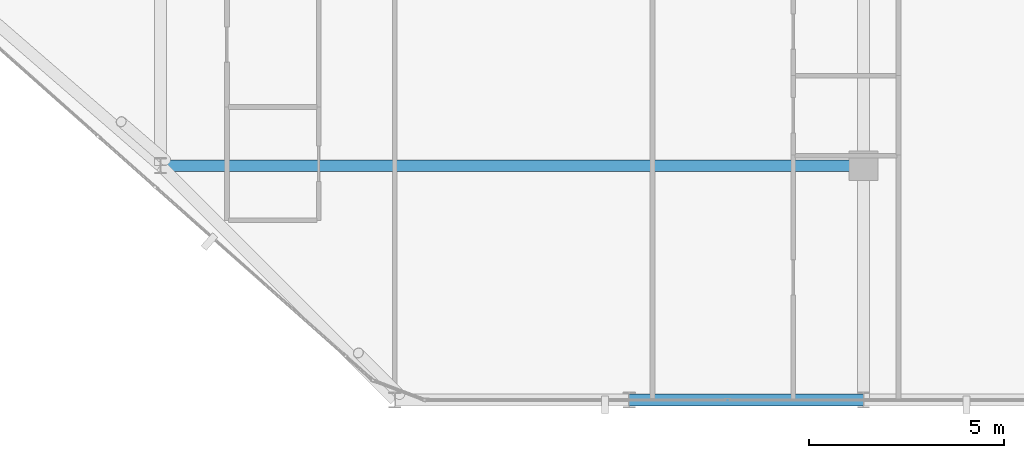
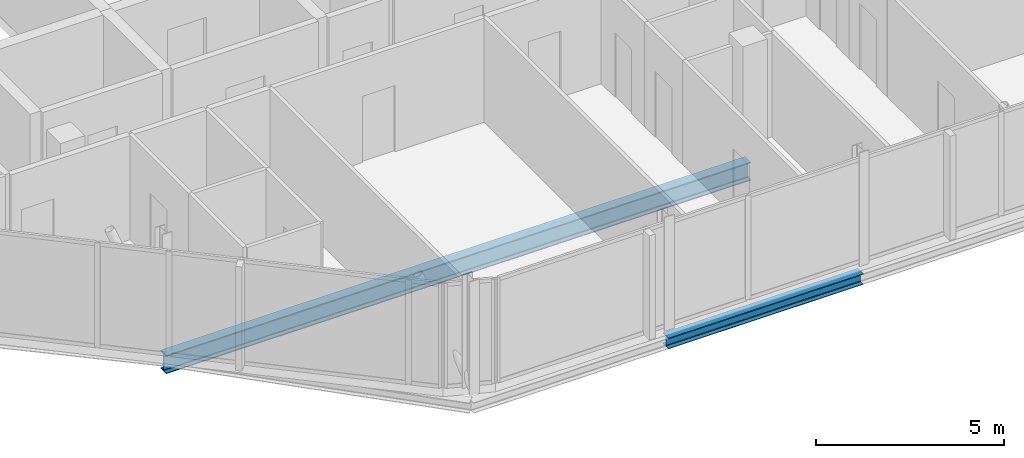
# One storey, part 7 of 30: 2 beams.
"""IFC4 building model written with IfcOpenShell, lengths in metres."""

import ifcopenshell
import ifcopenshell.guid

model = None  # the IFC model being written
_history = None  # IfcOwnerHistory: only IFC2X3 demands one
_inside = {}  # id of a spatial element -> (the spatial element, [elements in it])
_under = {}  # id of a project, library or spatial element -> (it, [spatial elements below it])
_declared = {}  # id of a project -> (the project, [libraries it declares])
_typed = {}  # id of a type object -> (the type object, [elements of that type])
_made_of = {}  # id of a material, layer set ... -> (it, [elements and type objects made of it])


def new_model(schema):
    """Start an empty IFC model of exactly this schema.

    Asked for "IFC4X3", IfcOpenShell would pick the latest addendum, in which some entities
    have other attributes; the version numbers below select the first issue.
    IFC2X3 requires an IfcOwnerHistory on every rooted entity: one is made here for all.
    """
    global model, _history
    if schema == "IFC4X3":
        model = ifcopenshell.file(schema_version=(4, 3, 0, 0))
    else:
        model = ifcopenshell.file(schema=schema)
    _inside.clear()
    _under.clear()
    _declared.clear()
    _typed.clear()
    _made_of.clear()
    _history = None
    if model.schema == "IFC2X3":
        org = make("IfcOrganization", Name="unknown")
        user = make(
            "IfcPersonAndOrganization",
            ThePerson=make("IfcPerson", FamilyName="unknown"),
            TheOrganization=org,
        )
        app = make(
            "IfcApplication",
            ApplicationDeveloper=org,
            Version="unknown",
            ApplicationFullName="unknown",
            ApplicationIdentifier="unknown",
        )
        _history = make(
            "IfcOwnerHistory",
            OwningUser=user,
            OwningApplication=app,
            ChangeAction="ADDED",
            CreationDate=0,
        )
    return model


def make(cls, **values):
    """One entity of the class cls with the attributes given. An attribute that is None is left unset."""
    return model.create_entity(
        cls, **{name: value for name, value in values.items() if value is not None}
    )


def rooted(cls, **values):
    """An entity with a GlobalId (a new one), such as an element, a storey or a relation."""
    return make(cls, GlobalId=ifcopenshell.guid.new(), OwnerHistory=_history, **values)


def si_unit(unit_type, name, prefix=None):
    """IfcSIUnit, for example si_unit("LENGTHUNIT", "METRE", prefix="MILLI")."""
    return make("IfcSIUnit", UnitType=unit_type, Prefix=prefix, Name=name)


def assignment(units):
    """IfcUnitAssignment: the units of a project."""
    return None if units is None else make("IfcUnitAssignment", Units=units)


def point(xyz):
    """IfcCartesianPoint."""
    return None if xyz is None else make("IfcCartesianPoint", Coordinates=xyz)


def direction(xyz):
    """IfcDirection."""
    return None if xyz is None else make("IfcDirection", DirectionRatios=xyz)


def frame(location, z_axis=None, x_axis=None):
    """IfcAxis2Placement3D, a coordinate frame: its origin and axes. An axis left out is left unset."""
    return make(
        "IfcAxis2Placement3D",
        Location=point(location),
        Axis=direction(z_axis),
        RefDirection=direction(x_axis),
    )


def frame_2d(location, x_axis=None):
    """IfcAxis2Placement2D, a coordinate frame in the plane: its origin and x axis."""
    return make(
        "IfcAxis2Placement2D", Location=point(location), RefDirection=direction(x_axis)
    )


def origin():
    """The frame at (0, 0, 0) with its axes left unset."""
    return frame((0.0, 0.0, 0.0))


def origin_2d():
    """The frame at (0, 0) in the plane with its x axis left unset."""
    return frame_2d((0.0, 0.0))


def place(relative_to, where):
    """IfcLocalPlacement: puts the frame where relative to a parent placement (None: the world)."""
    return make(
        "IfcLocalPlacement", PlacementRelTo=relative_to, RelativePlacement=where
    )


def context(
    kind, dimensions, precision=None, world=None, true_north=None, identifier=None
):
    """IfcGeometricRepresentationContext, for example the 3D "Model" context."""
    return make(
        "IfcGeometricRepresentationContext",
        ContextIdentifier=identifier,
        ContextType=kind,
        CoordinateSpaceDimension=dimensions,
        Precision=precision,
        WorldCoordinateSystem=world,
        TrueNorth=true_north,
    )


def subcontext(parent, identifier, kind, view, scale=None):
    """IfcGeometricRepresentationSubContext, for example "Body" below "Model"."""
    return make(
        "IfcGeometricRepresentationSubContext",
        ContextIdentifier=identifier,
        ContextType=kind,
        ParentContext=parent,
        TargetScale=scale,
        TargetView=view,
    )


def project(units=None, contexts=None):
    """IfcProject with its units and contexts."""
    return rooted(
        "IfcProject",
        Name="project",
        RepresentationContexts=contexts,
        UnitsInContext=assignment(units),
    )


def spatial(cls, under=None, at=None, **own):
    """A site, building, storey or space (cls), placed at a placement, below another one or the project."""
    s = rooted(cls, ObjectPlacement=at, **own)
    if under is not None:
        _under.setdefault(under.id(), (under, []))[1].append(s)
    return s


def profile(cls, at=None, kind="AREA", **sizes):
    """A parametric profile (cls). Its sizes go by their IFC names, for example OverallWidth=200.0."""
    return make(cls, ProfileType=kind, Position=at, **sizes)


def i_section(**sizes):
    """IfcIShapeProfileDef."""
    return profile("IfcIShapeProfileDef", **sizes)


def extrude(swept, where, along, depth):
    """IfcExtrudedAreaSolid: the profile swept, set in the frame where, extruded along a direction by depth."""
    return make(
        "IfcExtrudedAreaSolid",
        SweptArea=swept,
        Position=where,
        ExtrudedDirection=direction(along),
        Depth=depth,
    )


def shape(context_of_items, identifier, shape_type, items):
    """IfcShapeRepresentation: the items that make up one representation, for example the "Body"."""
    return make(
        "IfcShapeRepresentation",
        ContextOfItems=context_of_items,
        RepresentationIdentifier=identifier,
        RepresentationType=shape_type,
        Items=items,
    )


def material(Name=None, Category=None):
    """IfcMaterial."""
    return make("IfcMaterial", Name=Name, Category=Category)


def material_profile(
    of_material, cross_section, Name=None, Category=None, Priority=None
):
    """IfcMaterialProfile: a cross section and its material."""
    return make(
        "IfcMaterialProfile",
        Name=Name,
        Material=of_material,
        Profile=cross_section,
        Priority=Priority,
        Category=Category,
    )


def profile_set(profiles, Name=None, composite=None):
    """IfcMaterialProfileSet."""
    return make(
        "IfcMaterialProfileSet",
        Name=Name,
        MaterialProfiles=profiles,
        CompositeProfile=composite,
    )


def made_of(thing, what):
    """Note that an element or type object is made of a material, layer set ...; save() writes the relation."""
    if what is not None:
        _made_of.setdefault(what.id(), (what, []))[1].append(thing)
    return thing


def type_object(cls, material=None, **own):
    """A type object (cls), such as IfcWallType, which elements share."""
    return made_of(rooted(cls, **own), material)


def element(
    cls,
    number,
    at=None,
    inside=None,
    cuts=None,
    type_object=None,
    material=None,
    context=None,
    identifier="Body",
    shape_type=None,
    held_by="IfcProductDefinitionShape",
    body=None,
    shapes=None,
    **own,
):
    """One element of the class cls, such as IfcWall. Its Tag is "e" and its number.

    at: its placement. inside: the storey or other place that contains it. cuts: it is an
    opening in that element (IfcRelVoidsElement). A single representation is given by context,
    identifier, shape_type and body (its items); several are given by shapes. held_by: the class
    of the entity that holds the representations. save() writes the other relations.
    """
    e = rooted(cls, Tag="e%d" % number, ObjectPlacement=at, **own)
    if body is not None:
        shapes = [shape(context, identifier, shape_type, body)]
    if shapes is not None:
        e.Representation = make(held_by, Representations=shapes)
    if inside is not None:
        _inside.setdefault(inside.id(), (inside, []))[1].append(e)
    if cuts is not None:
        rooted(
            "IfcRelVoidsElement", RelatingBuildingElement=cuts, RelatedOpeningElement=e
        )
    if type_object is not None:
        _typed.setdefault(type_object.id(), (type_object, []))[1].append(e)
    return made_of(e, material)


def aggregate(whole, parts):
    """IfcRelAggregates: a whole, such as a stair, and the parts it consists of."""
    return rooted("IfcRelAggregates", RelatingObject=whole, RelatedObjects=parts)


def save(model, path):
    """Write the relations noted so far, then the file.

    IfcRelAggregates (storeys below a building ...), IfcRelContainedInSpatialStructure (elements
    in a storey), IfcRelDefinesByType, IfcRelAssociatesMaterial and IfcRelDeclares: one each for
    every whole, place, type object, material and project.
    """
    for whole, parts in _under.values():
        aggregate(whole, parts)
    for where, things in _inside.values():
        rooted(
            "IfcRelContainedInSpatialStructure",
            RelatedElements=things,
            RelatingStructure=where,
        )
    for kind, things in _typed.values():
        rooted("IfcRelDefinesByType", RelatedObjects=things, RelatingType=kind)
    for what, things in _made_of.values():
        rooted("IfcRelAssociatesMaterial", RelatedObjects=things, RelatingMaterial=what)
    for by, libraries in _declared.values():
        rooted("IfcRelDeclares", RelatingContext=by, RelatedDefinitions=libraries)
    model.write(path)


model = new_model("IFC4")

# Units and contexts
model_context = context("Model", 3, precision=1e-05, world=origin(), true_north=direction((0.0, 1.0)))
body_context = subcontext(model_context, "Body", "Model", "MODEL_VIEW")
ifc_project = project(units=[si_unit("LENGTHUNIT", "METRE"), si_unit("AREAUNIT", "SQUARE_METRE"), si_unit("VOLUMEUNIT", "CUBIC_METRE"), si_unit("PLANEANGLEUNIT", "RADIAN"), si_unit("MASSUNIT", "GRAM", prefix="KILO")], contexts=[model_context])

# Site, building, storey
site_placement = place(None, origin())
site = spatial("IfcSite", under=ifc_project, at=site_placement, CompositionType="ELEMENT")
building_placement = place(site_placement, origin())
building = spatial("IfcBuilding", under=site, at=building_placement, Name="Keshet Zoharim Tower", CompositionType="ELEMENT")
storey_placement = place(building_placement, frame((0.0, 0.0, 280.60009765625)))
storey = spatial("IfcBuildingStorey", under=building, at=storey_placement, Name="L70", CompositionType="ELEMENT", Elevation=280.60009765625)

# Beams
ifc_material = material(Name="Steel S355", Category="steel")
ifc_material_profile_1 = material_profile(ifc_material, i_section(OverallWidth=0.300048828125, OverallDepth=0.60009765625, WebThickness=0.015380859375, FlangeThickness=0.030029296875, FilletRadius=0.027099609375, at=origin_2d()), Name="HEB600")
ifc_profile_set_1 = profile_set([ifc_material_profile_1], Name="Steel S355")
beam_type_1 = type_object("IfcBeamType", Name="BM-LNG-HB600", PredefinedType="BEAM", material=ifc_profile_set_1)
beam_1_placement = place(storey_placement, frame((15.0, 12.699951171875, -0.610107421875), z_axis=(1.0, 0.0, 0.0), x_axis=(0.0, 1.0, 0.0)))
element("IfcBeam", 1, at=beam_1_placement, inside=storey, type_object=beam_type_1, Name="L70 Primary Girder X-004", PredefinedType="BEAM", context=body_context, shape_type="SweptSolid", body=[
    extrude(i_section(OverallWidth=0.300048828125, OverallDepth=0.60009765625, WebThickness=0.015380859375, FlangeThickness=0.030029296875, FilletRadius=0.027099609375, at=origin_2d()), origin(), (0.0, 0.0, 1.0), 18.0),
])
ifc_material_profile_2 = material_profile(ifc_material, i_section(OverallWidth=0.300048828125, OverallDepth=0.35009765625, WebThickness=0.010009765625, FlangeThickness=0.017578125, FilletRadius=0.027099609375, at=origin_2d()), Name="HEA360")
ifc_profile_set_2 = profile_set([ifc_material_profile_2], Name="Steel S355")
beam_type_2 = type_object("IfcBeamType", Name="BM-PRI-HA360", PredefinedType="BEAM", material=ifc_profile_set_2)
beam_2_placement = place(storey_placement, frame((27.0, 6.699951171875, -0.485107421875), z_axis=(1.0, 0.0, 0.0), x_axis=(0.0, 1.0, 0.0)))
element("IfcBeam", 2, at=beam_2_placement, inside=storey, type_object=beam_type_2, Name="L70 Primary Girder X-002", PredefinedType="BEAM", context=body_context, shape_type="SweptSolid", body=[
    extrude(i_section(OverallWidth=0.300048828125, OverallDepth=0.35009765625, WebThickness=0.010009765625, FlangeThickness=0.017578125, FilletRadius=0.027099609375, at=origin_2d()), origin(), (0.0, 0.0, 1.0), 6.0),
])

save(model, "model.ifc")
